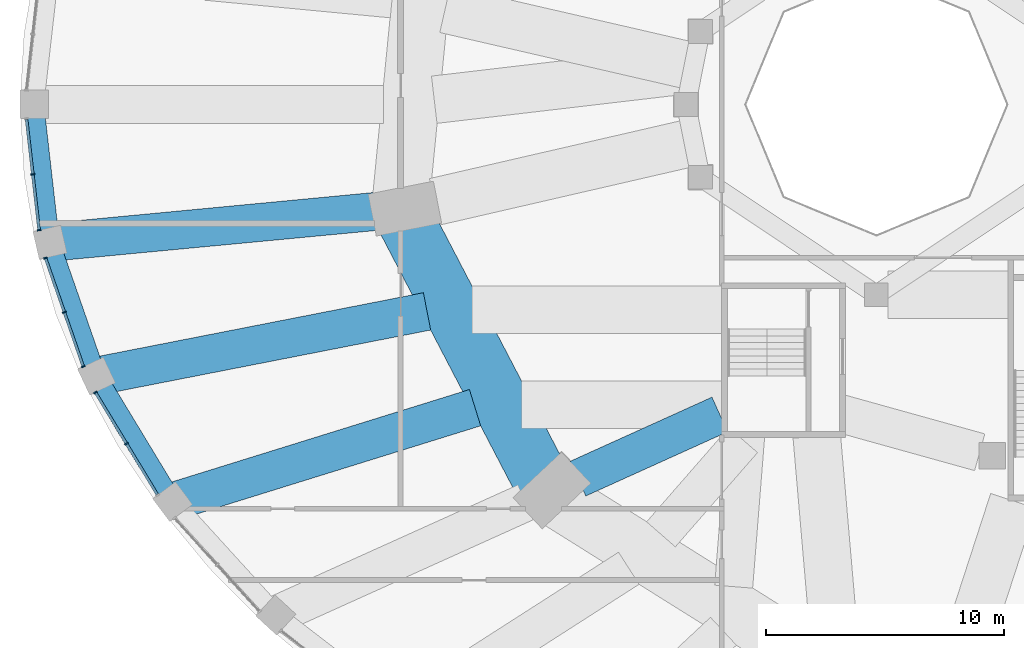
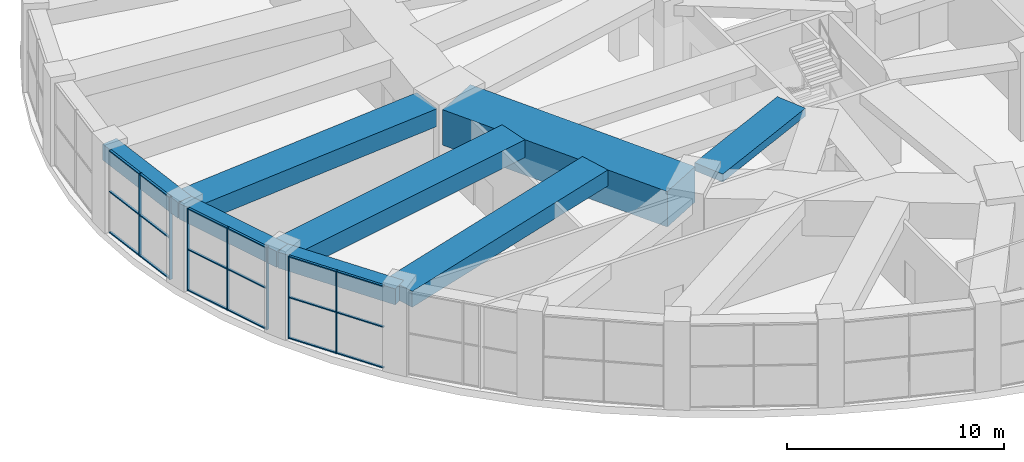
# One storey, part 3 of 30: 25 members, 8 beams, 3 elements without a shape of their own.
"""IFC4 building model written with IfcOpenShell, lengths in metres."""

from ifc_helpers import new_model, si_unit, direction, frame, origin, origin_2d, place, context, subcontext, project, spatial, rectangle, extrude, material, material_profile, profile_set, type_object, element, aggregate, save


model = new_model("IFC4")

# Units and contexts
model_context = context("Model", 3, precision=1e-05, world=origin(), true_north=direction((0.0, 1.0)))
body_context = subcontext(model_context, "Body", "Model", "MODEL_VIEW")
ifc_project = project(units=[si_unit("LENGTHUNIT", "METRE"), si_unit("AREAUNIT", "SQUARE_METRE"), si_unit("VOLUMEUNIT", "CUBIC_METRE"), si_unit("PLANEANGLEUNIT", "RADIAN"), si_unit("MASSUNIT", "GRAM", prefix="KILO")], contexts=[model_context])

# Site, building, storey
site_placement = place(None, origin())
site = spatial("IfcSite", under=ifc_project, at=site_placement, CompositionType="ELEMENT")
building_placement = place(site_placement, origin())
building = spatial("IfcBuilding", under=site, at=building_placement, Name="Taillehof Tower", CompositionType="ELEMENT")
storey_placement = place(building_placement, frame((0.0, 0.0, 12.5)))
storey = spatial("IfcBuildingStorey", under=building, at=storey_placement, Name="L02", CompositionType="ELEMENT", Elevation=12.5)

# Beams
ifc_material_1 = material(Name="Concrete C50/60", Category="concrete")
ifc_material_profile_1 = material_profile(ifc_material_1, rectangle(XDim=0.800048828125, YDim=0.89990234375, at=origin_2d()), Name="RC 800x900")
ifc_profile_set_1 = profile_set([ifc_material_profile_1], Name="Concrete C50/60")
beam_type_1 = type_object("IfcBeamType", Name="Podium edge beam C50/60 800x900", PredefinedType="BEAM", material=ifc_profile_set_1)
beam_1_placement = place(storey_placement, frame((-43.39990234375, 0.0, 4.199951171875), z_axis=(0.112928457179, -0.993603121754, 0.0), x_axis=(0.993603121754, 0.112928457179, 0.0)))
element("IfcBeam", 1, at=beam_1_placement, inside=storey, type_object=beam_type_1, Name="Podium edge beam PB19", PredefinedType="BEAM", context=body_context, shape_type="SweptSolid", body=[
    extrude(rectangle(XDim=0.800048828125, YDim=0.89990234375, at=origin_2d()), origin(), (0.0, 0.0, 1.0), 5.837158203125),
])
beam_2_placement = place(storey_placement, frame((-42.74072265625, -5.7998046875, 4.199951171875), z_axis=(0.328806837859, -0.94439719577, 0.0), x_axis=(0.94439719577, 0.328806837859, 0.0)))
element("IfcBeam", 2, at=beam_2_placement, inside=storey, type_object=beam_type_1, Name="Podium edge beam PB20", PredefinedType="BEAM", context=body_context, shape_type="SweptSolid", body=[
    extrude(rectangle(XDim=0.800048828125, YDim=0.89990234375, at=origin_2d()), origin(), (0.0, 0.0, 1.0), 5.954833984375),
])
beam_3_placement = place(storey_placement, frame((-40.78271484375, -11.423583984375, 4.199951171875), z_axis=(0.518238569123, -0.855236099258, 0.0), x_axis=(0.855236099258, 0.518238569123, 0.0)))
element("IfcBeam", 3, at=beam_3_placement, inside=storey, type_object=beam_type_1, Name="Podium edge beam PB21", PredefinedType="BEAM", context=body_context, shape_type="SweptSolid", body=[
    extrude(rectangle(XDim=0.800048828125, YDim=0.89990234375, at=origin_2d()), origin(), (0.0, 0.0, 1.0), 6.16943359375),
])
ifc_material_2 = material(Name="Concrete C50/60", Category="concrete")
ifc_material_profile_2 = material_profile(ifc_material_2, rectangle(XDim=1.60009765625, YDim=1.0, at=origin_2d()), Name="RC 1600x1000")
ifc_profile_set_2 = profile_set([ifc_material_profile_2], Name="Concrete C50/60")
beam_type_2 = type_object("IfcBeamType", Name="Podium radial beam C50/60 1600x1000", PredefinedType="BEAM", material=ifc_profile_set_2)
beam_4_placement = place(storey_placement, frame((-42.74072265625, -5.7998046875, 4.14990234375), z_axis=(0.995532102093, 0.094423692488, 0.0), x_axis=(-0.094423692488, 0.995532102093, 0.0)))
element("IfcBeam", 4, at=beam_4_placement, inside=storey, type_object=beam_type_2, Name="Podium radial beam PR20", PredefinedType="BEAM", context=body_context, shape_type="SweptSolid", body=[
    extrude(rectangle(XDim=1.60009765625, YDim=1.0, at=origin_2d()), origin(), (0.0, 0.0, 1.0), 13.7216796875),
])
beam_5_placement = place(storey_placement, frame((-40.78271484375, -11.423583984375, 4.14990234375), z_axis=(0.981362621206, 0.19216504807, 0.0), x_axis=(-0.19216504807, 0.981362621206, 0.0)))
element("IfcBeam", 5, at=beam_5_placement, inside=storey, type_object=beam_type_2, Name="Podium radial beam PR21", PredefinedType="BEAM", context=body_context, shape_type="SweptSolid", body=[
    extrude(rectangle(XDim=1.60009765625, YDim=1.0, at=origin_2d()), origin(), (0.0, 0.0, 1.0), 14.158203125),
])
ifc_material_3 = material(Name="Concrete C50/60", Category="concrete")
ifc_material_profile_3 = material_profile(ifc_material_3, rectangle(XDim=1.60009765625, YDim=0.89990234375, at=origin_2d()), Name="RC 1600x900")
ifc_profile_set_3 = profile_set([ifc_material_profile_3], Name="Concrete C50/60")
beam_type_3 = type_object("IfcBeamType", Name="Podium radial beam C50/60 1600x900", PredefinedType="BEAM", material=ifc_profile_set_3)
beam_6_placement = place(storey_placement, frame((-37.58544921875, -16.699951171875, 4.199951171875), z_axis=(0.95499860346, 0.296610295487, 0.0), x_axis=(-0.296610295487, 0.95499860346, 0.0)))
element("IfcBeam", 6, at=beam_6_placement, inside=storey, type_object=beam_type_3, Name="Podium radial beam PR22", PredefinedType="BEAM", context=body_context, shape_type="SweptSolid", body=[
    extrude(rectangle(XDim=1.60009765625, YDim=0.89990234375, at=origin_2d()), origin(), (0.0, 0.0, 1.0), 13.314453125),
])

# Curtain wall, members
ifc_material_4 = material(Name="Aluminium curtain wall with Clear low-emissivity double glazing", Category="aluminium")
curtain_wall_type = type_object("IfcCurtainWallType", Name="Podium window wall curtain wall", PredefinedType="USERDEFINED", material=ifc_material_4)
curtain_wall_1_placement = place(storey_placement, origin())
curtain_wall_1 = element("IfcCurtainWall", 7, at=curtain_wall_1_placement, inside=storey, type_object=curtain_wall_type, Name="Podium window wall L02 bay 19", ObjectType="WINDOW WALL", PredefinedType="USERDEFINED")
ifc_material_5 = material(Name="Aluminium mullion", Category="aluminium")
ifc_material_profile_4 = material_profile(ifc_material_5, rectangle(XDim=0.159912109375, YDim=0.06005859375, at=origin_2d()), Name="AL 60x160")
ifc_profile_set_4 = profile_set([ifc_material_profile_4], Name="Aluminium mullion")
member_type_1 = type_object("IfcMemberType", Name="Podium window wall mullion 60x160", PredefinedType="MULLION", material=ifc_profile_set_4)
member_1_placement = place(storey_placement, frame((-43.464111328125, -2.9443359375, 0.0), z_axis=(0.0, 0.0, 1.0), x_axis=(0.993602669771, 0.112932433888, 0.0)))
member_1 = element("IfcMember", 8, at=member_1_placement, type_object=member_type_1, Name="CT219 mullion 2", PredefinedType="MULLION", context=body_context, shape_type="SweptSolid", body=[
    extrude(rectangle(XDim=0.159912109375, YDim=0.06005859375, at=origin_2d()), origin(), (0.0, 0.0, 1.0), 4.64990234375),
])
member_2_placement = place(storey_placement, frame((-43.197509765625, -5.28857421875, 0.0), z_axis=(0.0, 0.0, 1.0), x_axis=(0.993602669771, 0.112932433888, 0.0)))
member_2 = element("IfcMember", 9, at=member_2_placement, type_object=member_type_1, Name="CT219 mullion 3", PredefinedType="MULLION", context=body_context, shape_type="SweptSolid", body=[
    extrude(rectangle(XDim=0.159912109375, YDim=0.06005859375, at=origin_2d()), origin(), (0.0, 0.0, 1.0), 4.64990234375),
])

curtain_wall_2_placement = place(storey_placement, origin())
curtain_wall_2 = element("IfcCurtainWall", 10, at=curtain_wall_2_placement, inside=storey, type_object=curtain_wall_type, Name="Podium window wall L02 bay 20", ObjectType="WINDOW WALL", PredefinedType="USERDEFINED")
member_3_placement = place(storey_placement, frame((-42.930908203125, -6.458740234375, 0.0), z_axis=(0.0, 0.0, 1.0), x_axis=(0.944414333464, 0.328757610934, 0.0)))
member_3 = element("IfcMember", 11, at=member_3_placement, type_object=member_type_1, Name="CT220 mullion 1", PredefinedType="MULLION", context=body_context, shape_type="SweptSolid", body=[
    extrude(rectangle(XDim=0.159912109375, YDim=0.06005859375, at=origin_2d()), origin(), (0.0, 0.0, 1.0), 4.64990234375),
])
member_4_placement = place(storey_placement, frame((-42.136474609375, -8.7412109375, 0.0), z_axis=(0.0, 0.0, 1.0), x_axis=(0.944414333464, 0.328757610934, 0.0)))
member_4 = element("IfcMember", 12, at=member_4_placement, type_object=member_type_1, Name="CT220 mullion 2", PredefinedType="MULLION", context=body_context, shape_type="SweptSolid", body=[
    extrude(rectangle(XDim=0.159912109375, YDim=0.06005859375, at=origin_2d()), origin(), (0.0, 0.0, 1.0), 4.64990234375),
])
member_5_placement = place(storey_placement, frame((-41.341796875, -11.023681640625, 0.0), z_axis=(0.0, 0.0, 1.0), x_axis=(0.944414333464, 0.328757610934, 0.0)))
member_5 = element("IfcMember", 13, at=member_5_placement, type_object=member_type_1, Name="CT220 mullion 3", PredefinedType="MULLION", context=body_context, shape_type="SweptSolid", body=[
    extrude(rectangle(XDim=0.159912109375, YDim=0.06005859375, at=origin_2d()), origin(), (0.0, 0.0, 1.0), 4.64990234375),
])

curtain_wall_3_placement = place(storey_placement, origin())
curtain_wall_3 = element("IfcCurtainWall", 14, at=curtain_wall_3_placement, inside=storey, type_object=curtain_wall_type, Name="Podium window wall L02 bay 21", ObjectType="WINDOW WALL", PredefinedType="USERDEFINED")
member_6_placement = place(storey_placement, frame((-40.8310546875, -12.109375, 0.0), z_axis=(0.0, 0.0, 1.0), x_axis=(0.855288863309, 0.518151483931, 0.0)))
member_6 = element("IfcMember", 15, at=member_6_placement, type_object=member_type_1, Name="CT221 mullion 1", PredefinedType="MULLION", context=body_context, shape_type="SweptSolid", body=[
    extrude(rectangle(XDim=0.159912109375, YDim=0.06005859375, at=origin_2d()), origin(), (0.0, 0.0, 1.0), 4.64990234375),
])
member_7_placement = place(storey_placement, frame((-39.524169921875, -14.266357421875, 0.0), z_axis=(0.0, 0.0, 1.0), x_axis=(0.855288863309, 0.518151483931, 0.0)))
member_7 = element("IfcMember", 16, at=member_7_placement, type_object=member_type_1, Name="CT221 mullion 2", PredefinedType="MULLION", context=body_context, shape_type="SweptSolid", body=[
    extrude(rectangle(XDim=0.159912109375, YDim=0.06005859375, at=origin_2d()), origin(), (0.0, 0.0, 1.0), 4.64990234375),
])

# Member
ifc_material_6 = material(Name="Aluminium transom", Category="aluminium")
ifc_material_profile_5 = material_profile(ifc_material_6, rectangle(XDim=0.1201171875, YDim=0.06005859375, at=origin_2d()), Name="AL 120x60")
ifc_profile_set_5 = profile_set([ifc_material_profile_5], Name="Aluminium transom")
member_type_2 = type_object("IfcMemberType", Name="Podium window wall transom 120x60", PredefinedType="USERDEFINED", material=ifc_profile_set_5)
member_8_placement = place(storey_placement, frame((-43.72705078125, -0.6298828125, 0.030029296875), z_axis=(0.112866805394, -0.993610126881, 0.0), x_axis=(0.993610126881, 0.112866805394, 0.0)))
member_8 = element("IfcMember", 17, at=member_8_placement, type_object=member_type_2, Name="CT219 transom 1.1", ObjectType="TRANSOM", PredefinedType="USERDEFINED", context=body_context, shape_type="SweptSolid", body=[
    extrude(rectangle(XDim=0.1201171875, YDim=0.06005859375, at=origin_2d()), origin(), (0.0, 0.0, 1.0), 2.29931640625),
])

member_9_placement = place(storey_placement, frame((-43.72705078125, -0.6298828125, 2.324951171875), z_axis=(0.112866805394, -0.993610126881, 0.0), x_axis=(0.993610126881, 0.112866805394, 0.0)))
member_9 = element("IfcMember", 18, at=member_9_placement, type_object=member_type_2, Name="CT219 transom 1.2", ObjectType="TRANSOM", PredefinedType="USERDEFINED", context=body_context, shape_type="SweptSolid", body=[
    extrude(rectangle(XDim=0.1201171875, YDim=0.06005859375, at=origin_2d()), origin(), (0.0, 0.0, 1.0), 2.29931640625),
])

member_10_placement = place(storey_placement, frame((-43.72705078125, -0.6298828125, 4.6201171875), z_axis=(0.112866805394, -0.993610126881, 0.0), x_axis=(0.993610126881, 0.112866805394, 0.0)))
member_10 = element("IfcMember", 19, at=member_10_placement, type_object=member_type_2, Name="CT219 transom 1.3", ObjectType="TRANSOM", PredefinedType="USERDEFINED", context=body_context, shape_type="SweptSolid", body=[
    extrude(rectangle(XDim=0.1201171875, YDim=0.06005859375, at=origin_2d()), origin(), (0.0, 0.0, 1.0), 2.29931640625),
])

member_11_placement = place(storey_placement, frame((-43.460693359375, -2.97412109375, 0.030029296875), z_axis=(0.112971628537, -0.993598214142, 0.0), x_axis=(0.993598214142, 0.112971628537, 0.0)))
member_11 = element("IfcMember", 20, at=member_11_placement, type_object=member_type_2, Name="CT219 transom 2.1", ObjectType="TRANSOM", PredefinedType="USERDEFINED", context=body_context, shape_type="SweptSolid", body=[
    extrude(rectangle(XDim=0.1201171875, YDim=0.06005859375, at=origin_2d()), origin(), (0.0, 0.0, 1.0), 2.29931640625),
])

member_12_placement = place(storey_placement, frame((-43.460693359375, -2.97412109375, 2.324951171875), z_axis=(0.112971628537, -0.993598214142, 0.0), x_axis=(0.993598214142, 0.112971628537, 0.0)))
member_12 = element("IfcMember", 21, at=member_12_placement, type_object=member_type_2, Name="CT219 transom 2.2", ObjectType="TRANSOM", PredefinedType="USERDEFINED", context=body_context, shape_type="SweptSolid", body=[
    extrude(rectangle(XDim=0.1201171875, YDim=0.06005859375, at=origin_2d()), origin(), (0.0, 0.0, 1.0), 2.29931640625),
])

member_13_placement = place(storey_placement, frame((-43.460693359375, -2.97412109375, 4.6201171875), z_axis=(0.112971628537, -0.993598214142, 0.0), x_axis=(0.993598214142, 0.112971628537, 0.0)))
member_13 = element("IfcMember", 22, at=member_13_placement, type_object=member_type_2, Name="CT219 transom 2.3", ObjectType="TRANSOM", PredefinedType="USERDEFINED", context=body_context, shape_type="SweptSolid", body=[
    extrude(rectangle(XDim=0.1201171875, YDim=0.06005859375, at=origin_2d()), origin(), (0.0, 0.0, 1.0), 2.29931640625),
])

aggregate(curtain_wall_1, [member_1, member_2, member_8, member_9, member_10, member_11, member_12, member_13])

member_14_placement = place(storey_placement, frame((-42.921142578125, -6.487060546875, 0.030029296875), z_axis=(0.328785781258, -0.944404526695, 0.0), x_axis=(0.944404526695, 0.328785781258, 0.0)))
member_14 = element("IfcMember", 23, at=member_14_placement, type_object=member_type_2, Name="CT220 transom 1.1", ObjectType="TRANSOM", PredefinedType="USERDEFINED", context=body_context, shape_type="SweptSolid", body=[
    extrude(rectangle(XDim=0.1201171875, YDim=0.06005859375, at=origin_2d()), origin(), (0.0, 0.0, 1.0), 2.35693359375),
])

member_15_placement = place(storey_placement, frame((-42.921142578125, -6.487060546875, 2.324951171875), z_axis=(0.328785781258, -0.944404526695, 0.0), x_axis=(0.944404526695, 0.328785781258, 0.0)))
member_15 = element("IfcMember", 24, at=member_15_placement, type_object=member_type_2, Name="CT220 transom 1.2", ObjectType="TRANSOM", PredefinedType="USERDEFINED", context=body_context, shape_type="SweptSolid", body=[
    extrude(rectangle(XDim=0.1201171875, YDim=0.06005859375, at=origin_2d()), origin(), (0.0, 0.0, 1.0), 2.35693359375),
])

member_16_placement = place(storey_placement, frame((-42.921142578125, -6.487060546875, 4.6201171875), z_axis=(0.328785781258, -0.944404526695, 0.0), x_axis=(0.944404526695, 0.328785781258, 0.0)))
member_16 = element("IfcMember", 25, at=member_16_placement, type_object=member_type_2, Name="CT220 transom 1.3", ObjectType="TRANSOM", PredefinedType="USERDEFINED", context=body_context, shape_type="SweptSolid", body=[
    extrude(rectangle(XDim=0.1201171875, YDim=0.06005859375, at=origin_2d()), origin(), (0.0, 0.0, 1.0), 2.35693359375),
])

member_17_placement = place(storey_placement, frame((-42.12646484375, -8.76953125, 0.030029296875), z_axis=(0.328693387122, -0.9444366878, 0.0), x_axis=(0.9444366878, 0.328693387122, 0.0)))
member_17 = element("IfcMember", 26, at=member_17_placement, type_object=member_type_2, Name="CT220 transom 2.1", ObjectType="TRANSOM", PredefinedType="USERDEFINED", context=body_context, shape_type="SweptSolid", body=[
    extrude(rectangle(XDim=0.1201171875, YDim=0.06005859375, at=origin_2d()), origin(), (0.0, 0.0, 1.0), 2.356689453125),
])

member_18_placement = place(storey_placement, frame((-42.12646484375, -8.76953125, 2.324951171875), z_axis=(0.328693387122, -0.9444366878, 0.0), x_axis=(0.9444366878, 0.328693387122, 0.0)))
member_18 = element("IfcMember", 27, at=member_18_placement, type_object=member_type_2, Name="CT220 transom 2.2", ObjectType="TRANSOM", PredefinedType="USERDEFINED", context=body_context, shape_type="SweptSolid", body=[
    extrude(rectangle(XDim=0.1201171875, YDim=0.06005859375, at=origin_2d()), origin(), (0.0, 0.0, 1.0), 2.356689453125),
])

member_19_placement = place(storey_placement, frame((-42.12646484375, -8.76953125, 4.6201171875), z_axis=(0.328693387122, -0.9444366878, 0.0), x_axis=(0.9444366878, 0.328693387122, 0.0)))
member_19 = element("IfcMember", 28, at=member_19_placement, type_object=member_type_2, Name="CT220 transom 2.3", ObjectType="TRANSOM", PredefinedType="USERDEFINED", context=body_context, shape_type="SweptSolid", body=[
    extrude(rectangle(XDim=0.1201171875, YDim=0.06005859375, at=origin_2d()), origin(), (0.0, 0.0, 1.0), 2.356689453125),
])

aggregate(curtain_wall_2, [member_3, member_4, member_5, member_14, member_15, member_16, member_17, member_18, member_19])

member_20_placement = place(storey_placement, frame((-40.8154296875, -12.135009765625, 0.030029296875), z_axis=(0.518136875535, -0.855297713203, 0.0), x_axis=(0.855297713203, 0.518136875535, 0.0)))
member_20 = element("IfcMember", 29, at=member_20_placement, type_object=member_type_2, Name="CT221 transom 1.1", ObjectType="TRANSOM", PredefinedType="USERDEFINED", context=body_context, shape_type="SweptSolid", body=[
    extrude(rectangle(XDim=0.1201171875, YDim=0.06005859375, at=origin_2d()), origin(), (0.0, 0.0, 1.0), 2.4619140625),
])

member_21_placement = place(storey_placement, frame((-40.8154296875, -12.135009765625, 2.324951171875), z_axis=(0.518136875535, -0.855297713203, 0.0), x_axis=(0.855297713203, 0.518136875535, 0.0)))
member_21 = element("IfcMember", 30, at=member_21_placement, type_object=member_type_2, Name="CT221 transom 1.2", ObjectType="TRANSOM", PredefinedType="USERDEFINED", context=body_context, shape_type="SweptSolid", body=[
    extrude(rectangle(XDim=0.1201171875, YDim=0.06005859375, at=origin_2d()), origin(), (0.0, 0.0, 1.0), 2.4619140625),
])

member_22_placement = place(storey_placement, frame((-40.8154296875, -12.135009765625, 4.6201171875), z_axis=(0.518136875535, -0.855297713203, 0.0), x_axis=(0.855297713203, 0.518136875535, 0.0)))
member_22 = element("IfcMember", 31, at=member_22_placement, type_object=member_type_2, Name="CT221 transom 1.3", ObjectType="TRANSOM", PredefinedType="USERDEFINED", context=body_context, shape_type="SweptSolid", body=[
    extrude(rectangle(XDim=0.1201171875, YDim=0.06005859375, at=origin_2d()), origin(), (0.0, 0.0, 1.0), 2.4619140625),
])

member_23_placement = place(storey_placement, frame((-39.5087890625, -14.2919921875, 0.030029296875), z_axis=(0.518136875535, -0.855297713203, 0.0), x_axis=(0.855297713203, 0.518136875535, 0.0)))
member_23 = element("IfcMember", 32, at=member_23_placement, type_object=member_type_2, Name="CT221 transom 2.1", ObjectType="TRANSOM", PredefinedType="USERDEFINED", context=body_context, shape_type="SweptSolid", body=[
    extrude(rectangle(XDim=0.1201171875, YDim=0.06005859375, at=origin_2d()), origin(), (0.0, 0.0, 1.0), 2.4619140625),
])

member_24_placement = place(storey_placement, frame((-39.5087890625, -14.2919921875, 2.324951171875), z_axis=(0.518136875535, -0.855297713203, 0.0), x_axis=(0.855297713203, 0.518136875535, 0.0)))
member_24 = element("IfcMember", 33, at=member_24_placement, type_object=member_type_2, Name="CT221 transom 2.2", ObjectType="TRANSOM", PredefinedType="USERDEFINED", context=body_context, shape_type="SweptSolid", body=[
    extrude(rectangle(XDim=0.1201171875, YDim=0.06005859375, at=origin_2d()), origin(), (0.0, 0.0, 1.0), 2.4619140625),
])

member_25_placement = place(storey_placement, frame((-39.5087890625, -14.2919921875, 4.6201171875), z_axis=(0.518136875535, -0.855297713203, 0.0), x_axis=(0.855297713203, 0.518136875535, 0.0)))
member_25 = element("IfcMember", 34, at=member_25_placement, type_object=member_type_2, Name="CT221 transom 2.3", ObjectType="TRANSOM", PredefinedType="USERDEFINED", context=body_context, shape_type="SweptSolid", body=[
    extrude(rectangle(XDim=0.1201171875, YDim=0.06005859375, at=origin_2d()), origin(), (0.0, 0.0, 1.0), 2.4619140625),
])

aggregate(curtain_wall_3, [member_6, member_7, member_20, member_21, member_22, member_23, member_24, member_25])

# Beams
ifc_material_7 = material(Name="Concrete C50/60", Category="concrete")
ifc_material_profile_6 = material_profile(ifc_material_7, rectangle(XDim=1.60009765625, YDim=0.449951171875, at=origin_2d()), Name="RC 1600x450")
ifc_profile_set_6 = profile_set([ifc_material_profile_6], Name="Concrete C50/60")
beam_type_4 = type_object("IfcBeamType", Name="Radial band beam C50/60 1600x450", PredefinedType="BEAM", material=ifc_profile_set_6)
beam_7_placement = place(storey_placement, frame((-20.54443359375, -15.734375, 4.425048828125), z_axis=(0.911109590055, 0.412164184409, 0.0), x_axis=(-0.412164184409, 0.911109590055, 0.0)))
element("IfcBeam", 35, at=beam_7_placement, inside=storey, type_object=beam_type_4, Name="Radial band beam RB23", PredefinedType="BEAM", context=body_context, shape_type="SweptSolid", body=[
    extrude(rectangle(XDim=1.60009765625, YDim=0.449951171875, at=origin_2d()), origin(), (0.0, 0.0, 1.0), 6.546630859375),
])
ifc_material_8 = material(Name="Concrete C80/95", Category="concrete")
ifc_material_profile_7 = material_profile(ifc_material_8, rectangle(XDim=2.39990234375, YDim=2.0, at=origin_2d()), Name="RC 2400x2000")
ifc_profile_set_7 = profile_set([ifc_material_profile_7], Name="Concrete C80/95")
beam_type_5 = type_object("IfcBeamType", Name="Transfer girder C80/95 2400x2000", PredefinedType="BEAM", material=ifc_profile_set_7)
beam_8_placement = place(storey_placement, frame((-27.756591796875, -4.940185546875, 3.64990234375), z_axis=(0.462546329258, -0.886595112376, 0.0), x_axis=(0.886595112376, 0.462546329258, 0.0)))
element("IfcBeam", 36, at=beam_8_placement, inside=storey, type_object=beam_type_5, Name="Transfer girder TG07", PredefinedType="BEAM", context=body_context, shape_type="SweptSolid", body=[
    extrude(rectangle(XDim=2.39990234375, YDim=2.0, at=origin_2d()), origin(), (0.0, 0.0, 1.0), 12.296630859375),
])

save(model, "model.ifc")
